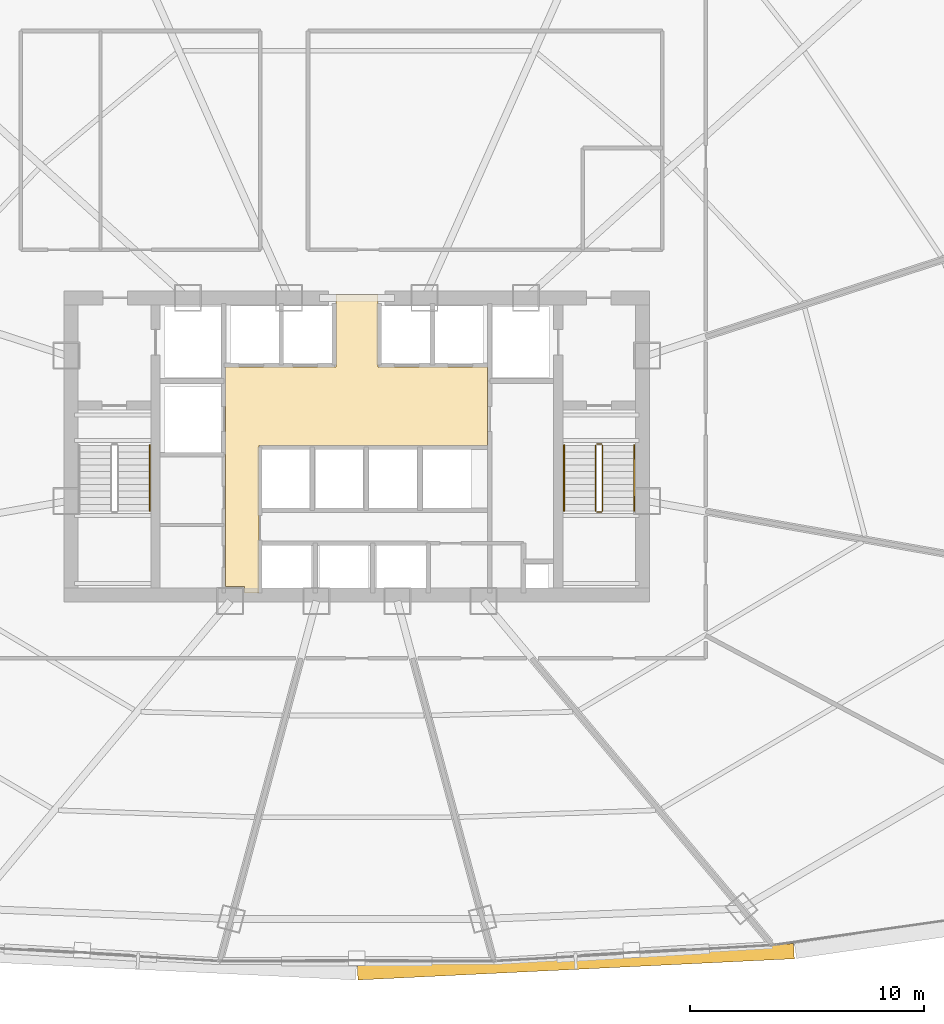
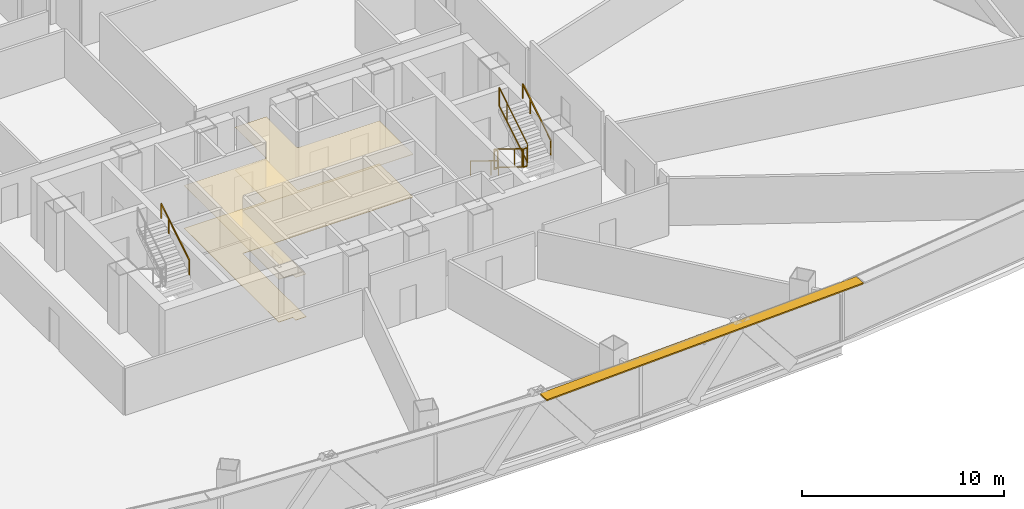
# One storey, part 37 of 39: 7 railings, 2 coverings, 1 shading device.
"""IFC4 building model written with IfcOpenShell, lengths in metres."""

from ifc_helpers import new_model, si_unit, direction, frame, origin, origin_2d, place, context, subcontext, project, spatial, polyline, rectangle, outline, extrude, source, transform, mapped, material, layer, layer_set, type_object, element, save


model = new_model("IFC4")

# Units and contexts
model_context = context("Model", 3, precision=1e-05, world=origin(), true_north=direction((0.0, 1.0)))
body_context = subcontext(model_context, "Body", "Model", "MODEL_VIEW")
ifc_project = project(units=[si_unit("LENGTHUNIT", "METRE"), si_unit("AREAUNIT", "SQUARE_METRE"), si_unit("VOLUMEUNIT", "CUBIC_METRE"), si_unit("PLANEANGLEUNIT", "RADIAN"), si_unit("MASSUNIT", "GRAM", prefix="KILO"), si_unit("THERMODYNAMICTEMPERATUREUNIT", "KELVIN"), si_unit("POWERUNIT", "WATT")], contexts=[model_context])

# Site, building, storey
site_placement = place(None, origin())
site = spatial("IfcSite", under=ifc_project, at=site_placement, CompositionType="ELEMENT")
building_placement = place(site_placement, origin())
building = spatial("IfcBuilding", under=site, at=building_placement, Name="Yunzhuo Pagoda Commons", CompositionType="ELEMENT")
storey_placement = place(building_placement, frame((0.0, 0.0, 100.179931640625)))
storey = spatial("IfcBuildingStorey", under=building, at=storey_placement, Name="L25", CompositionType="ELEMENT", Elevation=100.179931640625)

# Coverings
ifc_material_1 = material(Name="Mineral fibre acoustic ceiling board")
ifc_layer_1 = layer(ifc_material_1, 0.02490234375)
ifc_layer_set_1 = layer_set([ifc_layer_1], Name="Mineral fibre acoustic ceiling board")
covering_type_1 = type_object("IfcCoveringType", Name="COV-CL1 Ceiling 25", PredefinedType="CEILING", material=ifc_layer_set_1)
covering_1_placement = place(storey_placement, frame((0.0, 0.0, 2.590087890625)))
element("IfcCovering", 1, at=covering_1_placement, inside=storey, type_object=covering_type_1, Name="L25 lift lobby acoustic ceiling", PredefinedType="CEILING", context=body_context, shape_type="SweptSolid", body=[
    extrude(outline(polyline([(43.207763671875, 27.85009765625), (43.201904296875, 27.864013671875), (43.187744140625, 27.8701171875), (42.39990234375, 27.8701171875), (42.39990234375, 33.89990234375), (42.39990234375, 37.25), (47.10009765625, 37.25), (47.10009765625, 40.35009765625), (48.89990234375, 40.35009765625), (48.89990234375, 37.25), (53.580078125, 37.25), (53.580078125, 33.89990234375), (43.820068359375, 33.89990234375), (43.820068359375, 27.60009765625), (43.207763671875, 27.60009765625), (43.207763671875, 27.85009765625)])), origin(), (0.0, 0.0, 1.0), 0.02490234375),
])
ifc_material_2 = material(Name="Porcelain ceramic floor tile")
ifc_layer_2 = layer(ifc_material_2, 0.02001953125)
ifc_layer_set_2 = layer_set([ifc_layer_2], Name="Porcelain ceramic floor tile")
covering_type_2 = type_object("IfcCoveringType", Name="COV-FL1 Flooring 20", PredefinedType="FLOORING", material=ifc_layer_set_2)
covering_2_placement = place(storey_placement, origin())
element("IfcCovering", 2, at=covering_2_placement, inside=storey, type_object=covering_type_2, Name="L25 lift lobby flooring", PredefinedType="FLOORING", context=body_context, shape_type="SweptSolid", body=[
    extrude(outline(polyline([(43.207763671875, 27.85009765625), (43.201904296875, 27.864013671875), (43.187744140625, 27.8701171875), (42.39990234375, 27.8701171875), (42.39990234375, 33.89990234375), (42.39990234375, 37.25), (47.10009765625, 37.25), (47.10009765625, 40.35009765625), (48.89990234375, 40.35009765625), (48.89990234375, 37.25), (53.580078125, 37.25), (53.580078125, 33.89990234375), (43.820068359375, 33.89990234375), (43.820068359375, 27.60009765625), (43.207763671875, 27.60009765625), (43.207763671875, 27.85009765625)])), origin(), (0.0, 0.0, 1.0), 0.02001953125),
])

# Railings
ifc_material_3 = material(Name="Anodized aluminium 6063-T6", Category="aluminium")
railing_type_1 = type_object("IfcRailingType", Name="GR-ST2 Stair Well Guardrail 1160", PredefinedType="GUARDRAIL", material=ifc_material_3)
railing_1_placement = place(storey_placement, frame((58.199951171875, 33.89990234375, 0.1728515625)))
element("IfcRailing", 3, at=railing_1_placement, inside=storey, type_object=railing_type_1, Name="L25 ST2 stair guard 1", PredefinedType="GUARDRAIL", context=body_context, shape_type="SweptSolid", body=[
    extrude(rectangle(XDim=0.048095703125, YDim=0.048095703125, at=origin_2d()), frame((0.0, 0.0, 1.1259765625), z_axis=(0.0, -0.851069175582, 0.525053576669), x_axis=(1.0, 0.0, 0.0)), (0.0, 0.0, 1.0), 3.289794921875),
    extrude(rectangle(XDim=0.048095703125, YDim=0.048095703125, at=origin_2d()), frame((0.0, 0.0, 0.02392578125), z_axis=(0.0, -0.851069175582, 0.525053576669), x_axis=(1.0, 0.0, 0.0)), (0.0, 0.0, 1.0), 3.289794921875),
    extrude(rectangle(XDim=0.0419921875, YDim=0.0419921875, at=origin_2d()), origin(), (0.0, 0.0, 1.0), 1.101806640625),
    extrude(rectangle(XDim=0.0419921875, YDim=0.0419921875, at=origin_2d()), frame((0.0, -2.04248046875, 1.260009765625)), (0.0, 0.0, 1.0), 1.101806640625),
    extrude(rectangle(XDim=0.0419921875, YDim=0.0419921875, at=origin_2d()), frame((0.0, -2.7998046875, 1.727294921875)), (0.0, 0.0, 1.0), 1.101806640625),
])
railing_2_placement = place(storey_placement, frame((58.25, 31.050048828125, 1.900146484375)))
element("IfcRailing", 4, at=railing_2_placement, inside=storey, type_object=railing_type_1, Name="L25 ST2 stair guard 2", PredefinedType="GUARDRAIL", context=body_context, shape_type="SweptSolid", body=[
    extrude(rectangle(XDim=0.048095703125, YDim=0.048095703125, at=origin_2d()), frame((0.0, 0.0, 1.1259765625), z_axis=(1.0, 0.0, 0.0), x_axis=(0.0, 1.0, 0.0)), (0.0, 0.0, 1.0), 0.199951171875),
    extrude(rectangle(XDim=0.048095703125, YDim=0.048095703125, at=origin_2d()), frame((0.0, 0.0, 0.02392578125), z_axis=(1.0, 0.0, 0.0), x_axis=(0.0, 1.0, 0.0)), (0.0, 0.0, 1.0), 0.199951171875),
    extrude(rectangle(XDim=0.0419921875, YDim=0.0419921875, at=origin_2d()), origin(), (0.0, 0.0, 1.0), 1.101806640625),
    extrude(rectangle(XDim=0.0419921875, YDim=0.0419921875, at=origin_2d()), frame((0.199951171875, 0.0, 0.0)), (0.0, 0.0, 1.0), 1.101806640625),
])
railing_3_placement = place(storey_placement, frame((58.5, 31.10009765625, 2.07275390625)))
element("IfcRailing", 5, at=railing_3_placement, inside=storey, type_object=railing_type_1, Name="L25 ST2 stair guard 3", PredefinedType="GUARDRAIL", context=body_context, shape_type="SweptSolid", body=[
    extrude(rectangle(XDim=0.048095703125, YDim=0.048095703125, at=origin_2d()), frame((0.0, 0.0, 1.1259765625), z_axis=(0.0, 0.851069175582, 0.525053576669), x_axis=(-1.0, 0.0, 0.0)), (0.0, 0.0, 1.0), 3.289794921875),
    extrude(rectangle(XDim=0.048095703125, YDim=0.048095703125, at=origin_2d()), frame((0.0, 0.0, 0.02392578125), z_axis=(0.0, 0.851069175582, 0.525053576669), x_axis=(-1.0, 0.0, 0.0)), (0.0, 0.0, 1.0), 3.289794921875),
    extrude(rectangle(XDim=0.0419921875, YDim=0.0419921875, at=origin_2d()), origin(), (0.0, 0.0, 1.0), 1.101806640625),
    extrude(rectangle(XDim=0.0419921875, YDim=0.0419921875, at=origin_2d()), frame((0.0, 2.04248046875, 1.260009765625)), (0.0, 0.0, 1.0), 1.101806640625),
    extrude(rectangle(XDim=0.0419921875, YDim=0.0419921875, at=origin_2d()), frame((0.0, 2.7998046875, 1.727294921875)), (0.0, 0.0, 1.0), 1.101806640625),
])
railing_4_placement = place(storey_placement, frame((58.25, 33.949951171875, 0.0)))
element("IfcRailing", 6, at=railing_4_placement, inside=storey, type_object=railing_type_1, Name="L25 ST2 stair guard 4", PredefinedType="GUARDRAIL", context=body_context, shape_type="SweptSolid", body=[
    extrude(rectangle(XDim=0.048095703125, YDim=0.048095703125, at=origin_2d()), frame((0.0, 0.0, 1.1259765625), z_axis=(1.0, 0.0, 0.0), x_axis=(0.0, 1.0, 0.0)), (0.0, 0.0, 1.0), 0.199951171875),
    extrude(rectangle(XDim=0.048095703125, YDim=0.048095703125, at=origin_2d()), frame((0.0, 0.0, 0.02392578125), z_axis=(1.0, 0.0, 0.0), x_axis=(0.0, 1.0, 0.0)), (0.0, 0.0, 1.0), 0.199951171875),
    extrude(rectangle(XDim=0.0419921875, YDim=0.0419921875, at=origin_2d()), origin(), (0.0, 0.0, 1.0), 1.101806640625),
    extrude(rectangle(XDim=0.0419921875, YDim=0.0419921875, at=origin_2d()), frame((0.199951171875, 0.0, 0.0)), (0.0, 0.0, 1.0), 1.101806640625),
])
railing_type_2 = type_object("IfcRailingType", Name="HR-ST1 Stair Handrail 900", PredefinedType="HANDRAIL", material=ifc_material_3)
railing_5_placement = place(storey_placement, frame((39.14990234375, 31.10009765625, 2.07275390625)))
element("IfcRailing", 7, at=railing_5_placement, inside=storey, type_object=railing_type_2, Name="L25 ST1 stair handrail 2", PredefinedType="HANDRAIL", context=body_context, shape_type="SweptSolid", body=[
    extrude(rectangle(XDim=0.048095703125, YDim=0.048095703125, at=origin_2d()), frame((0.0, 0.0, 0.8759765625), z_axis=(0.0, 0.851069175582, 0.525053576669), x_axis=(-1.0, 0.0, 0.0)), (0.0, 0.0, 1.0), 3.289794921875),
    extrude(rectangle(XDim=0.0419921875, YDim=0.0419921875, at=origin_2d()), origin(), (0.0, 0.0, 1.0), 0.851806640625),
    extrude(rectangle(XDim=0.0419921875, YDim=0.0419921875, at=origin_2d()), frame((0.0, 2.04248046875, 1.260009765625)), (0.0, 0.0, 1.0), 0.851806640625),
    extrude(rectangle(XDim=0.0419921875, YDim=0.0419921875, at=origin_2d()), frame((0.0, 2.7998046875, 1.727294921875)), (0.0, 0.0, 1.0), 0.851806640625),
])
railing_type_3 = type_object("IfcRailingType", Name="HR-ST2 Stair Handrail 900", PredefinedType="HANDRAIL", material=ifc_material_3)
railing_6_placement = place(storey_placement, frame((56.85009765625, 33.89990234375, 0.1728515625)))
element("IfcRailing", 8, at=railing_6_placement, inside=storey, type_object=railing_type_3, Name="L25 ST2 stair handrail 1", PredefinedType="HANDRAIL", context=body_context, shape_type="SweptSolid", body=[
    extrude(rectangle(XDim=0.048095703125, YDim=0.048095703125, at=origin_2d()), frame((0.0, 0.0, 0.8759765625), z_axis=(0.0, -0.851069175582, 0.525053576669), x_axis=(1.0, 0.0, 0.0)), (0.0, 0.0, 1.0), 3.289794921875),
    extrude(rectangle(XDim=0.0419921875, YDim=0.0419921875, at=origin_2d()), origin(), (0.0, 0.0, 1.0), 0.851806640625),
    extrude(rectangle(XDim=0.0419921875, YDim=0.0419921875, at=origin_2d()), frame((0.0, -2.04248046875, 1.260009765625)), (0.0, 0.0, 1.0), 0.851806640625),
    extrude(rectangle(XDim=0.0419921875, YDim=0.0419921875, at=origin_2d()), frame((0.0, -2.7998046875, 1.727294921875)), (0.0, 0.0, 1.0), 0.851806640625),
])
railing_7_placement = place(storey_placement, frame((59.85009765625, 31.10009765625, 2.07275390625)))
element("IfcRailing", 9, at=railing_7_placement, inside=storey, type_object=railing_type_3, Name="L25 ST2 stair handrail 2", PredefinedType="HANDRAIL", context=body_context, shape_type="SweptSolid", body=[
    extrude(rectangle(XDim=0.048095703125, YDim=0.048095703125, at=origin_2d()), frame((0.0, 0.0, 0.8759765625), z_axis=(0.0, 0.851069175582, 0.525053576669), x_axis=(-1.0, 0.0, 0.0)), (0.0, 0.0, 1.0), 3.289794921875),
    extrude(rectangle(XDim=0.0419921875, YDim=0.0419921875, at=origin_2d()), origin(), (0.0, 0.0, 1.0), 0.851806640625),
    extrude(rectangle(XDim=0.0419921875, YDim=0.0419921875, at=origin_2d()), frame((0.0, 2.04248046875, 1.260009765625)), (0.0, 0.0, 1.0), 0.851806640625),
    extrude(rectangle(XDim=0.0419921875, YDim=0.0419921875, at=origin_2d()), frame((0.0, 2.7998046875, 1.727294921875)), (0.0, 0.0, 1.0), 0.851806640625),
])

# Shading device
ifc_layer_3 = layer(ifc_material_3, 0.080078125)
ifc_layer_set_3 = layer_set([ifc_layer_3], Name="Anodized aluminium 6063-T6")
shading_device_type = type_object("IfcShadingDeviceType", Name="SH-SUN1 Pagoda Horizontal Sunshade Eave 650", PredefinedType="USERDEFINED", material=ifc_layer_set_3)
shared_shape = source(origin(), body_context, "Body", "SweptSolid", [
    extrude(rectangle(XDim=18.662109375, YDim=0.64990234375, at=origin_2d()), origin(), (0.0, 0.0, 1.0), 0.080078125),
])
shading_device_placement = place(storey_placement, frame((57.351806640625, 11.839599609375, 3.4599609375), z_axis=(0.0, 0.0, 1.0), x_axis=(0.998818043775, 0.04860571396, 0.0)))
element("IfcShadingDevice", 10, at=shading_device_placement, inside=storey, type_object=shading_device_type, Name="L25 horizontal pagoda sunshade eave F1.3", ObjectType="SUNSHADE", PredefinedType="USERDEFINED", context=body_context, shape_type="MappedRepresentation", body=[
    mapped(shared_shape, transform((0.0, 0.0, 0.0), scale=1.0)),
])

save(model, "model.ifc")
